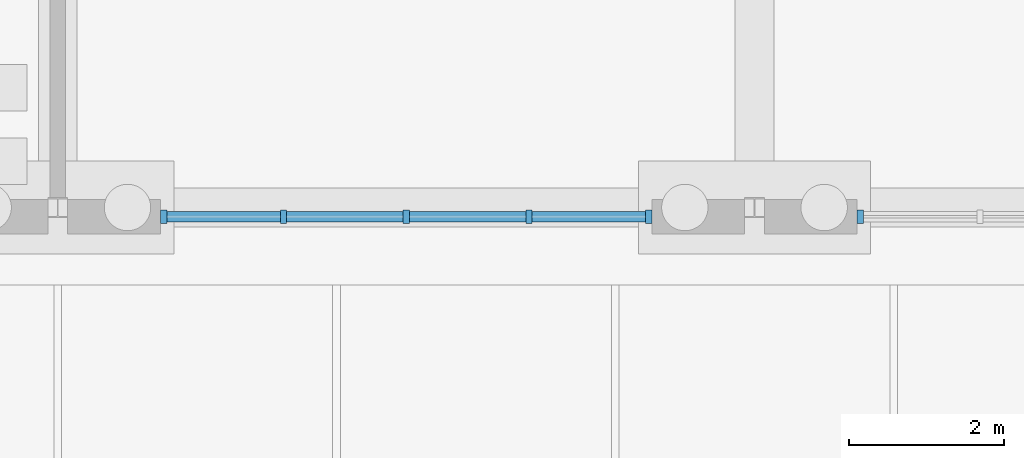
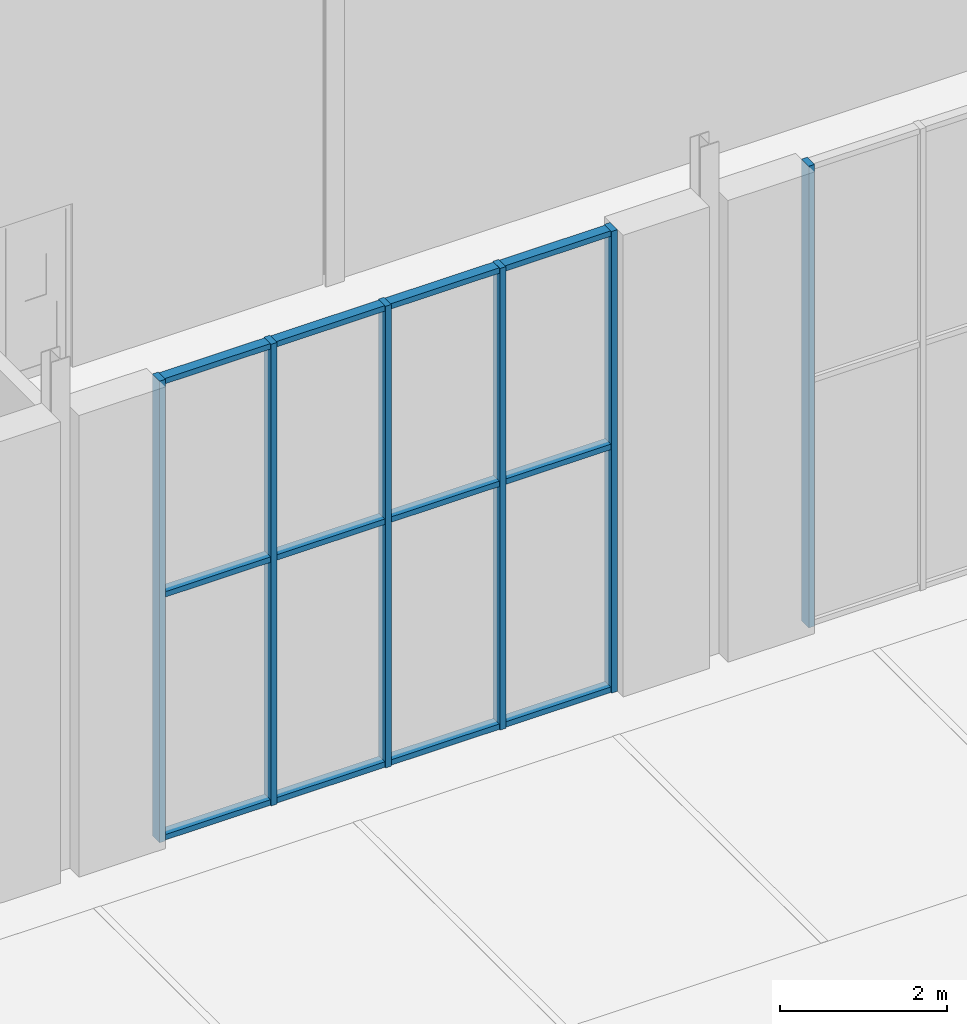
# One storey, part 38 of 250: 18 members, 2 elements without a shape of their own.
"""IFC4 building model written with IfcOpenShell, lengths in metres."""

from ifc_helpers import new_model, si_unit, direction, frame, origin, origin_2d, place, context, subcontext, project, spatial, rectangle, extrude, material, material_profile, profile_set, type_object, element, aggregate, save


model = new_model("IFC4")

# Units and contexts
model_context = context("Model", 3, precision=1e-05, world=origin(), true_north=direction((0.0, 1.0)))
body_context = subcontext(model_context, "Body", "Model", "MODEL_VIEW")
ifc_project = project(units=[si_unit("LENGTHUNIT", "METRE"), si_unit("AREAUNIT", "SQUARE_METRE"), si_unit("VOLUMEUNIT", "CUBIC_METRE"), si_unit("PLANEANGLEUNIT", "RADIAN"), si_unit("MASSUNIT", "GRAM", prefix="KILO")], contexts=[model_context])

# Site, building, storey
site_placement = place(None, origin())
site = spatial("IfcSite", under=ifc_project, at=site_placement, CompositionType="ELEMENT")
building_placement = place(site_placement, origin())
building = spatial("IfcBuilding", under=site, at=building_placement, Name="Baradari Gate Terminus", CompositionType="ELEMENT")
storey_placement = place(building_placement, origin())
storey = spatial("IfcBuildingStorey", under=building, at=storey_placement, Name="L00", CompositionType="ELEMENT", Elevation=0.0)

# Curtain wall, members
ifc_material_1 = material(Name="Aluminium 6063-T6", Category="aluminium")
curtain_wall_type = type_object("IfcCurtainWallType", Name="Curtain wall CW-24 lobby and lounge glazing, other height", PredefinedType="NOTDEFINED", material=ifc_material_1)
curtain_wall_1_placement = place(storey_placement, origin())
curtain_wall_1 = element("IfcCurtainWall", 1, at=curtain_wall_1_placement, inside=storey, type_object=curtain_wall_type, Name="Glazed curtain wall CW-24 SS bay 14 L00", PredefinedType="NOTDEFINED")
ifc_material_2 = material(Name="Aluminium 6063-T6", Category="aluminium")
ifc_material_profile_1 = material_profile(ifc_material_2, rectangle(XDim=0.175048828125, YDim=0.080078125, at=origin_2d()), Name="CM-24 80X175")
ifc_profile_set_1 = profile_set([ifc_material_profile_1], Name="Aluminium 6063-T6")
member_type_1 = type_object("IfcMemberType", Name="Curtain wall mullion CM-24 80x175", PredefinedType="MULLION", material=ifc_profile_set_1)
member_1_placement = place(storey_placement, frame((118.3671875, 8.880126953125, 0.0), z_axis=(0.0, 0.0, 1.0), x_axis=(0.0, 1.0, 0.0)))
member_1 = element("IfcMember", 2, at=member_1_placement, type_object=member_type_1, Name="CW-24 mullion 1", PredefinedType="MULLION", context=body_context, shape_type="SweptSolid", body=[
    extrude(rectangle(XDim=0.175048828125, YDim=0.080078125, at=origin_2d()), origin(), (0.0, 0.0, 1.0), 6.767333984375),
])
member_2_placement = place(storey_placement, frame((119.91357421875, 8.880126953125, 0.0), z_axis=(0.0, 0.0, 1.0), x_axis=(0.0, 1.0, 0.0)))
member_2 = element("IfcMember", 3, at=member_2_placement, type_object=member_type_1, Name="CW-24 mullion 2", PredefinedType="MULLION", context=body_context, shape_type="SweptSolid", body=[
    extrude(rectangle(XDim=0.175048828125, YDim=0.080078125, at=origin_2d()), origin(), (0.0, 0.0, 1.0), 6.767333984375),
])
member_3_placement = place(storey_placement, frame((121.5, 8.880126953125, 0.0), z_axis=(0.0, 0.0, 1.0), x_axis=(0.0, 1.0, 0.0)))
member_3 = element("IfcMember", 4, at=member_3_placement, type_object=member_type_1, Name="CW-24 mullion 3", PredefinedType="MULLION", context=body_context, shape_type="SweptSolid", body=[
    extrude(rectangle(XDim=0.175048828125, YDim=0.080078125, at=origin_2d()), origin(), (0.0, 0.0, 1.0), 6.767333984375),
])
member_4_placement = place(storey_placement, frame((123.08642578125, 8.880126953125, 0.0), z_axis=(0.0, 0.0, 1.0), x_axis=(0.0, 1.0, 0.0)))
member_4 = element("IfcMember", 5, at=member_4_placement, type_object=member_type_1, Name="CW-24 mullion 4", PredefinedType="MULLION", context=body_context, shape_type="SweptSolid", body=[
    extrude(rectangle(XDim=0.175048828125, YDim=0.080078125, at=origin_2d()), origin(), (0.0, 0.0, 1.0), 6.767333984375),
])
member_5_placement = place(storey_placement, frame((124.6328125, 8.880126953125, 0.0), z_axis=(0.0, 0.0, 1.0), x_axis=(0.0, 1.0, 0.0)))
member_5 = element("IfcMember", 6, at=member_5_placement, type_object=member_type_1, Name="CW-24 mullion 5", PredefinedType="MULLION", context=body_context, shape_type="SweptSolid", body=[
    extrude(rectangle(XDim=0.175048828125, YDim=0.080078125, at=origin_2d()), origin(), (0.0, 0.0, 1.0), 6.767333984375),
])

# Curtain wall, member
curtain_wall_2_placement = place(storey_placement, origin())
curtain_wall_2 = element("IfcCurtainWall", 7, at=curtain_wall_2_placement, inside=storey, type_object=curtain_wall_type, Name="Glazed curtain wall CW-24 SS bay 15 L00", PredefinedType="NOTDEFINED")
member_6_placement = place(storey_placement, frame((127.3671875, 8.880126953125, 0.0), z_axis=(0.0, 0.0, 1.0), x_axis=(0.0, 1.0, 0.0)))
member_6 = element("IfcMember", 8, at=member_6_placement, type_object=member_type_1, Name="CW-24 mullion 1", PredefinedType="MULLION", context=body_context, shape_type="SweptSolid", body=[
    extrude(rectangle(XDim=0.175048828125, YDim=0.080078125, at=origin_2d()), origin(), (0.0, 0.0, 1.0), 6.767333984375),
])
aggregate(curtain_wall_2, [member_6])

# Member
ifc_material_3 = material(Name="Aluminium 6063-T6", Category="aluminium")
ifc_material_profile_2 = material_profile(ifc_material_3, rectangle(XDim=0.139892578125, YDim=0.080078125, at=origin_2d()), Name="CT-24 80X140")
ifc_profile_set_2 = profile_set([ifc_material_profile_2], Name="Aluminium 6063-T6")
member_type_2 = type_object("IfcMemberType", Name="Curtain wall transom CT-24 80x140", PredefinedType="USERDEFINED", material=ifc_profile_set_2)
member_7_placement = place(storey_placement, frame((118.4072265625, 8.880126953125, 0.0400390625), z_axis=(1.0, 0.0, 0.0), x_axis=(0.0, 1.0, 0.0)))
member_7 = element("IfcMember", 9, at=member_7_placement, type_object=member_type_2, Name="CW-24 transom 1.1", ObjectType="TRANSOM", PredefinedType="USERDEFINED", context=body_context, shape_type="SweptSolid", body=[
    extrude(rectangle(XDim=0.139892578125, YDim=0.080078125, at=origin_2d()), origin(), (0.0, 0.0, 1.0), 1.46630859375),
])

member_8_placement = place(storey_placement, frame((118.4072265625, 8.880126953125, 3.60009765625), z_axis=(1.0, 0.0, 0.0), x_axis=(0.0, 1.0, 0.0)))
member_8 = element("IfcMember", 10, at=member_8_placement, type_object=member_type_2, Name="CW-24 transom 1.2", ObjectType="TRANSOM", PredefinedType="USERDEFINED", context=body_context, shape_type="SweptSolid", body=[
    extrude(rectangle(XDim=0.139892578125, YDim=0.080078125, at=origin_2d()), origin(), (0.0, 0.0, 1.0), 1.46630859375),
])

member_9_placement = place(storey_placement, frame((118.4072265625, 8.880126953125, 6.727294921875), z_axis=(1.0, 0.0, 0.0), x_axis=(0.0, 1.0, 0.0)))
member_9 = element("IfcMember", 11, at=member_9_placement, type_object=member_type_2, Name="CW-24 transom 1.3", ObjectType="TRANSOM", PredefinedType="USERDEFINED", context=body_context, shape_type="SweptSolid", body=[
    extrude(rectangle(XDim=0.139892578125, YDim=0.080078125, at=origin_2d()), origin(), (0.0, 0.0, 1.0), 1.46630859375),
])

member_10_placement = place(storey_placement, frame((119.95361328125, 8.880126953125, 0.0400390625), z_axis=(1.0, 0.0, 0.0), x_axis=(0.0, 1.0, 0.0)))
member_10 = element("IfcMember", 12, at=member_10_placement, type_object=member_type_2, Name="CW-24 transom 2.1", ObjectType="TRANSOM", PredefinedType="USERDEFINED", context=body_context, shape_type="SweptSolid", body=[
    extrude(rectangle(XDim=0.139892578125, YDim=0.080078125, at=origin_2d()), origin(), (0.0, 0.0, 1.0), 1.50634765625),
])

member_11_placement = place(storey_placement, frame((119.95361328125, 8.880126953125, 3.60009765625), z_axis=(1.0, 0.0, 0.0), x_axis=(0.0, 1.0, 0.0)))
member_11 = element("IfcMember", 13, at=member_11_placement, type_object=member_type_2, Name="CW-24 transom 2.2", ObjectType="TRANSOM", PredefinedType="USERDEFINED", context=body_context, shape_type="SweptSolid", body=[
    extrude(rectangle(XDim=0.139892578125, YDim=0.080078125, at=origin_2d()), origin(), (0.0, 0.0, 1.0), 1.50634765625),
])

member_12_placement = place(storey_placement, frame((119.95361328125, 8.880126953125, 6.727294921875), z_axis=(1.0, 0.0, 0.0), x_axis=(0.0, 1.0, 0.0)))
member_12 = element("IfcMember", 14, at=member_12_placement, type_object=member_type_2, Name="CW-24 transom 2.3", ObjectType="TRANSOM", PredefinedType="USERDEFINED", context=body_context, shape_type="SweptSolid", body=[
    extrude(rectangle(XDim=0.139892578125, YDim=0.080078125, at=origin_2d()), origin(), (0.0, 0.0, 1.0), 1.50634765625),
])

member_13_placement = place(storey_placement, frame((121.5400390625, 8.880126953125, 0.0400390625), z_axis=(1.0, 0.0, 0.0), x_axis=(0.0, 1.0, 0.0)))
member_13 = element("IfcMember", 15, at=member_13_placement, type_object=member_type_2, Name="CW-24 transom 3.1", ObjectType="TRANSOM", PredefinedType="USERDEFINED", context=body_context, shape_type="SweptSolid", body=[
    extrude(rectangle(XDim=0.139892578125, YDim=0.080078125, at=origin_2d()), origin(), (0.0, 0.0, 1.0), 1.50634765625),
])

member_14_placement = place(storey_placement, frame((121.5400390625, 8.880126953125, 3.60009765625), z_axis=(1.0, 0.0, 0.0), x_axis=(0.0, 1.0, 0.0)))
member_14 = element("IfcMember", 16, at=member_14_placement, type_object=member_type_2, Name="CW-24 transom 3.2", ObjectType="TRANSOM", PredefinedType="USERDEFINED", context=body_context, shape_type="SweptSolid", body=[
    extrude(rectangle(XDim=0.139892578125, YDim=0.080078125, at=origin_2d()), origin(), (0.0, 0.0, 1.0), 1.50634765625),
])

member_15_placement = place(storey_placement, frame((121.5400390625, 8.880126953125, 6.727294921875), z_axis=(1.0, 0.0, 0.0), x_axis=(0.0, 1.0, 0.0)))
member_15 = element("IfcMember", 17, at=member_15_placement, type_object=member_type_2, Name="CW-24 transom 3.3", ObjectType="TRANSOM", PredefinedType="USERDEFINED", context=body_context, shape_type="SweptSolid", body=[
    extrude(rectangle(XDim=0.139892578125, YDim=0.080078125, at=origin_2d()), origin(), (0.0, 0.0, 1.0), 1.50634765625),
])

member_16_placement = place(storey_placement, frame((123.12646484375, 8.880126953125, 0.0400390625), z_axis=(1.0, 0.0, 0.0), x_axis=(0.0, 1.0, 0.0)))
member_16 = element("IfcMember", 18, at=member_16_placement, type_object=member_type_2, Name="CW-24 transom 4.1", ObjectType="TRANSOM", PredefinedType="USERDEFINED", context=body_context, shape_type="SweptSolid", body=[
    extrude(rectangle(XDim=0.139892578125, YDim=0.080078125, at=origin_2d()), origin(), (0.0, 0.0, 1.0), 1.46630859375),
])

member_17_placement = place(storey_placement, frame((123.12646484375, 8.880126953125, 3.60009765625), z_axis=(1.0, 0.0, 0.0), x_axis=(0.0, 1.0, 0.0)))
member_17 = element("IfcMember", 19, at=member_17_placement, type_object=member_type_2, Name="CW-24 transom 4.2", ObjectType="TRANSOM", PredefinedType="USERDEFINED", context=body_context, shape_type="SweptSolid", body=[
    extrude(rectangle(XDim=0.139892578125, YDim=0.080078125, at=origin_2d()), origin(), (0.0, 0.0, 1.0), 1.46630859375),
])

member_18_placement = place(storey_placement, frame((123.12646484375, 8.880126953125, 6.727294921875), z_axis=(1.0, 0.0, 0.0), x_axis=(0.0, 1.0, 0.0)))
member_18 = element("IfcMember", 20, at=member_18_placement, type_object=member_type_2, Name="CW-24 transom 4.3", ObjectType="TRANSOM", PredefinedType="USERDEFINED", context=body_context, shape_type="SweptSolid", body=[
    extrude(rectangle(XDim=0.139892578125, YDim=0.080078125, at=origin_2d()), origin(), (0.0, 0.0, 1.0), 1.46630859375),
])

aggregate(curtain_wall_1, [member_1, member_2, member_3, member_4, member_5, member_7, member_8, member_9, member_10, member_11, member_12, member_13, member_14, member_15, member_16, member_17, member_18])

save(model, "model.ifc")
